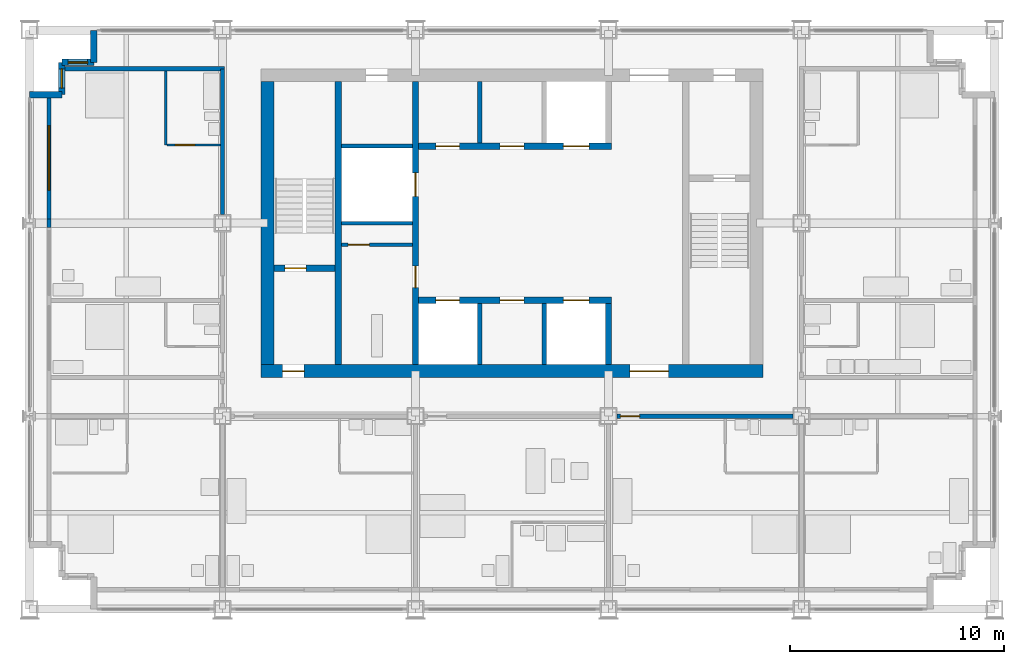
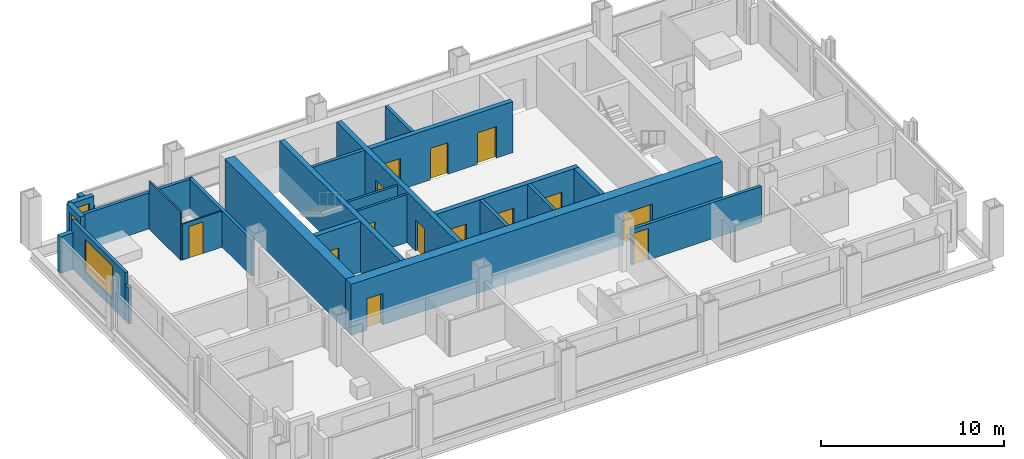
# One storey, part 8 of 13: 25 walls, 14 doors, 3 windows, 17 openings.
"""IFC4 building model written with IfcOpenShell, lengths in metres."""

import ifcopenshell
import ifcopenshell.guid

model = None  # the IFC model being written
_history = None  # IfcOwnerHistory: only IFC2X3 demands one
_inside = {}  # id of a spatial element -> (the spatial element, [elements in it])
_under = {}  # id of a project, library or spatial element -> (it, [spatial elements below it])
_declared = {}  # id of a project -> (the project, [libraries it declares])
_typed = {}  # id of a type object -> (the type object, [elements of that type])
_made_of = {}  # id of a material, layer set ... -> (it, [elements and type objects made of it])


def new_model(schema):
    """Start an empty IFC model of exactly this schema.

    Asked for "IFC4X3", IfcOpenShell would pick the latest addendum, in which some entities
    have other attributes; the version numbers below select the first issue.
    IFC2X3 requires an IfcOwnerHistory on every rooted entity: one is made here for all.
    """
    global model, _history
    if schema == "IFC4X3":
        model = ifcopenshell.file(schema_version=(4, 3, 0, 0))
    else:
        model = ifcopenshell.file(schema=schema)
    _inside.clear()
    _under.clear()
    _declared.clear()
    _typed.clear()
    _made_of.clear()
    _history = None
    if model.schema == "IFC2X3":
        org = make("IfcOrganization", Name="unknown")
        user = make(
            "IfcPersonAndOrganization",
            ThePerson=make("IfcPerson", FamilyName="unknown"),
            TheOrganization=org,
        )
        app = make(
            "IfcApplication",
            ApplicationDeveloper=org,
            Version="unknown",
            ApplicationFullName="unknown",
            ApplicationIdentifier="unknown",
        )
        _history = make(
            "IfcOwnerHistory",
            OwningUser=user,
            OwningApplication=app,
            ChangeAction="ADDED",
            CreationDate=0,
        )
    return model


def make(cls, **values):
    """One entity of the class cls with the attributes given. An attribute that is None is left unset."""
    return model.create_entity(
        cls, **{name: value for name, value in values.items() if value is not None}
    )


def rooted(cls, **values):
    """An entity with a GlobalId (a new one), such as an element, a storey or a relation."""
    return make(cls, GlobalId=ifcopenshell.guid.new(), OwnerHistory=_history, **values)


def si_unit(unit_type, name, prefix=None):
    """IfcSIUnit, for example si_unit("LENGTHUNIT", "METRE", prefix="MILLI")."""
    return make("IfcSIUnit", UnitType=unit_type, Prefix=prefix, Name=name)


def assignment(units):
    """IfcUnitAssignment: the units of a project."""
    return None if units is None else make("IfcUnitAssignment", Units=units)


def point(xyz):
    """IfcCartesianPoint."""
    return None if xyz is None else make("IfcCartesianPoint", Coordinates=xyz)


def direction(xyz):
    """IfcDirection."""
    return None if xyz is None else make("IfcDirection", DirectionRatios=xyz)


def frame(location, z_axis=None, x_axis=None):
    """IfcAxis2Placement3D, a coordinate frame: its origin and axes. An axis left out is left unset."""
    return make(
        "IfcAxis2Placement3D",
        Location=point(location),
        Axis=direction(z_axis),
        RefDirection=direction(x_axis),
    )


def frame_2d(location, x_axis=None):
    """IfcAxis2Placement2D, a coordinate frame in the plane: its origin and x axis."""
    return make(
        "IfcAxis2Placement2D", Location=point(location), RefDirection=direction(x_axis)
    )


def origin():
    """The frame at (0, 0, 0) with its axes left unset."""
    return frame((0.0, 0.0, 0.0))


def place(relative_to, where):
    """IfcLocalPlacement: puts the frame where relative to a parent placement (None: the world)."""
    return make(
        "IfcLocalPlacement", PlacementRelTo=relative_to, RelativePlacement=where
    )


def context(
    kind, dimensions, precision=None, world=None, true_north=None, identifier=None
):
    """IfcGeometricRepresentationContext, for example the 3D "Model" context."""
    return make(
        "IfcGeometricRepresentationContext",
        ContextIdentifier=identifier,
        ContextType=kind,
        CoordinateSpaceDimension=dimensions,
        Precision=precision,
        WorldCoordinateSystem=world,
        TrueNorth=true_north,
    )


def subcontext(parent, identifier, kind, view, scale=None):
    """IfcGeometricRepresentationSubContext, for example "Body" below "Model"."""
    return make(
        "IfcGeometricRepresentationSubContext",
        ContextIdentifier=identifier,
        ContextType=kind,
        ParentContext=parent,
        TargetScale=scale,
        TargetView=view,
    )


def project(units=None, contexts=None):
    """IfcProject with its units and contexts."""
    return rooted(
        "IfcProject",
        Name="project",
        RepresentationContexts=contexts,
        UnitsInContext=assignment(units),
    )


def spatial(cls, under=None, at=None, **own):
    """A site, building, storey or space (cls), placed at a placement, below another one or the project."""
    s = rooted(cls, ObjectPlacement=at, **own)
    if under is not None:
        _under.setdefault(under.id(), (under, []))[1].append(s)
    return s


def profile(cls, at=None, kind="AREA", **sizes):
    """A parametric profile (cls). Its sizes go by their IFC names, for example OverallWidth=200.0."""
    return make(cls, ProfileType=kind, Position=at, **sizes)


def rectangle(**sizes):
    """IfcRectangleProfileDef."""
    return profile("IfcRectangleProfileDef", **sizes)


def extrude(swept, where, along, depth):
    """IfcExtrudedAreaSolid: the profile swept, set in the frame where, extruded along a direction by depth."""
    return make(
        "IfcExtrudedAreaSolid",
        SweptArea=swept,
        Position=where,
        ExtrudedDirection=direction(along),
        Depth=depth,
    )


def shape(context_of_items, identifier, shape_type, items):
    """IfcShapeRepresentation: the items that make up one representation, for example the "Body"."""
    return make(
        "IfcShapeRepresentation",
        ContextOfItems=context_of_items,
        RepresentationIdentifier=identifier,
        RepresentationType=shape_type,
        Items=items,
    )


def material(Name=None, Category=None):
    """IfcMaterial."""
    return make("IfcMaterial", Name=Name, Category=Category)


def layer(
    of_material, thickness, ventilated=None, Name=None, Category=None, Priority=None
):
    """IfcMaterialLayer: one layer of a wall or slab, of a material (None: an air gap)."""
    return make(
        "IfcMaterialLayer",
        Material=of_material,
        LayerThickness=thickness,
        IsVentilated=ventilated,
        Name=Name,
        Category=Category,
        Priority=Priority,
    )


def layer_set(layers, Name=None):
    """IfcMaterialLayerSet."""
    return make("IfcMaterialLayerSet", MaterialLayers=layers, LayerSetName=Name)


def made_of(thing, what):
    """Note that an element or type object is made of a material, layer set ...; save() writes the relation."""
    if what is not None:
        _made_of.setdefault(what.id(), (what, []))[1].append(thing)
    return thing


def type_object(cls, material=None, **own):
    """A type object (cls), such as IfcWallType, which elements share."""
    return made_of(rooted(cls, **own), material)


def element(
    cls,
    number,
    at=None,
    inside=None,
    cuts=None,
    type_object=None,
    material=None,
    context=None,
    identifier="Body",
    shape_type=None,
    held_by="IfcProductDefinitionShape",
    body=None,
    shapes=None,
    **own,
):
    """One element of the class cls, such as IfcWall. Its Tag is "e" and its number.

    at: its placement. inside: the storey or other place that contains it. cuts: it is an
    opening in that element (IfcRelVoidsElement). A single representation is given by context,
    identifier, shape_type and body (its items); several are given by shapes. held_by: the class
    of the entity that holds the representations. save() writes the other relations.
    """
    e = rooted(cls, Tag="e%d" % number, ObjectPlacement=at, **own)
    if body is not None:
        shapes = [shape(context, identifier, shape_type, body)]
    if shapes is not None:
        e.Representation = make(held_by, Representations=shapes)
    if inside is not None:
        _inside.setdefault(inside.id(), (inside, []))[1].append(e)
    if cuts is not None:
        rooted(
            "IfcRelVoidsElement", RelatingBuildingElement=cuts, RelatedOpeningElement=e
        )
    if type_object is not None:
        _typed.setdefault(type_object.id(), (type_object, []))[1].append(e)
    return made_of(e, material)


def fill(opening, filler):
    """IfcRelFillsElement: the door or window that sits in an opening."""
    return rooted(
        "IfcRelFillsElement",
        RelatingOpeningElement=opening,
        RelatedBuildingElement=filler,
    )


def aggregate(whole, parts):
    """IfcRelAggregates: a whole, such as a stair, and the parts it consists of."""
    return rooted("IfcRelAggregates", RelatingObject=whole, RelatedObjects=parts)


def save(model, path):
    """Write the relations noted so far, then the file.

    IfcRelAggregates (storeys below a building ...), IfcRelContainedInSpatialStructure (elements
    in a storey), IfcRelDefinesByType, IfcRelAssociatesMaterial and IfcRelDeclares: one each for
    every whole, place, type object, material and project.
    """
    for whole, parts in _under.values():
        aggregate(whole, parts)
    for where, things in _inside.values():
        rooted(
            "IfcRelContainedInSpatialStructure",
            RelatedElements=things,
            RelatingStructure=where,
        )
    for kind, things in _typed.values():
        rooted("IfcRelDefinesByType", RelatedObjects=things, RelatingType=kind)
    for what, things in _made_of.values():
        rooted("IfcRelAssociatesMaterial", RelatedObjects=things, RelatingMaterial=what)
    for by, libraries in _declared.values():
        rooted("IfcRelDeclares", RelatingContext=by, RelatedDefinitions=libraries)
    model.write(path)


model = new_model("IFC4")

# Units and contexts
model_context = context("Model", 3, precision=1e-05, world=origin(), true_north=direction((0.0, 1.0)))
body_context = subcontext(model_context, "Body", "Model", "MODEL_VIEW")
ifc_project = project(units=[si_unit("LENGTHUNIT", "METRE"), si_unit("AREAUNIT", "SQUARE_METRE"), si_unit("VOLUMEUNIT", "CUBIC_METRE"), si_unit("PLANEANGLEUNIT", "RADIAN"), si_unit("MASSUNIT", "GRAM", prefix="KILO")], contexts=[model_context])

# Site, building, storey
site_placement = place(None, origin())
site = spatial("IfcSite", under=ifc_project, at=site_placement, CompositionType="ELEMENT")
building_placement = place(site_placement, origin())
building = spatial("IfcBuilding", under=site, at=building_placement, Name="Loomwork Tower", CompositionType="ELEMENT")
storey_placement = place(building_placement, frame((0.0, 0.0, 177.39990234375)))
storey = spatial("IfcBuildingStorey", under=building, at=storey_placement, Name="L48", CompositionType="ELEMENT", Elevation=177.39990234375)

# Wall
ifc_material_1 = material(Name="Concrete 14000 psi (97 MPa)", Category="concrete")
ifc_layer_1 = layer(ifc_material_1, 0.300048828125)
ifc_layer_set_1 = layer_set([ifc_layer_1], Name="Core shear wall 300")
wall_type_1 = type_object("IfcWallType", Name="Core shear wall 300", PredefinedType="SHEAR", material=ifc_layer_set_1)
wall_1_placement = place(storey_placement, frame((14.39990234375, 11.39990234375, 0.0), z_axis=(0.0, 0.0, 1.0), x_axis=(0.0, 1.0, 0.0)))
element("IfcWall", 1, at=wall_1_placement, inside=storey, type_object=wall_type_1, Name="Stair A east wall L48", PredefinedType="SHEAR", context=body_context, shape_type="SweptSolid", body=[
    extrude(rectangle(XDim=13.2001953125, YDim=0.300048828125, at=frame_2d((6.60009765625, 0.0))), origin(), (0.0, 0.0, 1.0), 3.400146484375),
])

# Wall, opening, door
wall_2_placement = place(storey_placement, frame((11.39990234375, 15.89990234375, 0.0), z_axis=(0.0, 0.0, 1.0), x_axis=(1.0, 0.0, 0.0)))
wall_2 = element("IfcWall", 2, at=wall_2_placement, inside=storey, type_object=wall_type_1, Name="Stair A south wall L48", PredefinedType="SHEAR", context=body_context, shape_type="SweptSolid", body=[
    extrude(rectangle(XDim=2.85009765625, YDim=0.300048828125, at=frame_2d((1.425048828125, 0.0))), origin(), (0.0, 0.0, 1.0), 3.400146484375),
])
opening_1_placement = place(wall_2_placement, frame((0.5, 0.0, 0.0)))
opening_1 = element("IfcOpeningElement", 3, at=opening_1_placement, cuts=wall_2, Name="Opening D4", PredefinedType="OPENING", context=body_context, shape_type="SweptSolid", body=[
    extrude(rectangle(XDim=1.0, YDim=2.10009765625, at=frame_2d((0.5, 1.050048828125))), frame((0.0, 0.159912109375, 0.0), z_axis=(0.0, -1.0, 0.0), x_axis=(1.0, 0.0, 0.0)), (0.0, 0.0, 1.0), 0.320068359375),
])
ifc_material_2 = material(Name="Hollow metal door and frame")
door_type_1 = type_object("IfcDoorType", Name="Stair door 1000", OperationType="SINGLE_SWING_RIGHT", PredefinedType="DOOR", material=ifc_material_2)
door_1_placement = place(opening_1_placement, origin())
door_1 = element("IfcDoor", 4, at=door_1_placement, inside=storey, type_object=door_type_1, Name="Stair A door", OperationType="SINGLE_SWING_LEFT", OverallHeight=2.10009765625, OverallWidth=1.0, PredefinedType="DOOR", context=body_context, shape_type="SweptSolid", body=[
    extrude(rectangle(XDim=1.0, YDim=2.10009765625, at=frame_2d((0.5, 1.050048828125))), frame((0.0, 0.02490234375, 0.0), z_axis=(0.0, -1.0, 0.0), x_axis=(1.0, 0.0, 0.0)), (0.0, 0.0, 1.0), 0.050048828125),
])
fill(opening_1, door_1)

# Wall, openings, doors
wall_3_placement = place(storey_placement, frame((18.0, 11.39990234375, 0.0), z_axis=(0.0, 0.0, 1.0), x_axis=(0.0, 1.0, 0.0)))
wall_3 = element("IfcWall", 5, at=wall_3_placement, inside=storey, type_object=wall_type_1, Name="Lobby west wall L48", PredefinedType="SHEAR", context=body_context, shape_type="SweptSolid", body=[
    extrude(rectangle(XDim=13.2001953125, YDim=0.300048828125, at=frame_2d((6.60009765625, 0.0))), origin(), (0.0, 0.0, 1.0), 3.400146484375),
])
opening_2_placement = place(wall_3_placement, frame((3.60009765625, 0.0, 0.0)))
opening_2 = element("IfcOpeningElement", 6, at=opening_2_placement, cuts=wall_3, Name="Opening D5", PredefinedType="OPENING", context=body_context, shape_type="SweptSolid", body=[
    extrude(rectangle(XDim=1.0, YDim=2.10009765625, at=frame_2d((0.5, 1.050048828125))), frame((0.0, 0.159912109375, 0.0), z_axis=(0.0, -1.0, 0.0), x_axis=(1.0, 0.0, 0.0)), (0.0, 0.0, 1.0), 0.320068359375),
])
opening_3_placement = place(wall_3_placement, frame((7.85009765625, 0.0, 0.0)))
opening_3 = element("IfcOpeningElement", 7, at=opening_3_placement, cuts=wall_3, Name="Opening LD1", PredefinedType="OPENING", context=body_context, shape_type="SweptSolid", body=[
    extrude(rectangle(XDim=1.10009765625, YDim=2.10009765625, at=frame_2d((0.550048828125, 1.050048828125))), frame((0.0, 0.159912109375, 0.0), z_axis=(0.0, -1.0, 0.0), x_axis=(1.0, 0.0, 0.0)), (0.0, 0.0, 1.0), 0.320068359375),
])
ifc_material_3 = material(Name="Hollow metal door and frame")
door_type_2 = type_object("IfcDoorType", Name="Lift landing door 1100", OperationType="SLIDING_TO_LEFT", PredefinedType="DOOR", material=ifc_material_3)
door_2_placement = place(opening_3_placement, origin())
door_2 = element("IfcDoor", 8, at=door_2_placement, inside=storey, type_object=door_type_2, Name="Lift landing door LC2", OperationType="SLIDING_TO_LEFT", OverallHeight=2.10009765625, OverallWidth=1.10009765625, PredefinedType="DOOR", context=body_context, shape_type="SweptSolid", body=[
    extrude(rectangle(XDim=1.10009765625, YDim=2.10009765625, at=frame_2d((0.550048828125, 1.050048828125))), frame((0.0, 0.02490234375, 0.0), z_axis=(0.0, -1.0, 0.0), x_axis=(1.0, 0.0, 0.0)), (0.0, 0.0, 1.0), 0.050048828125),
])
fill(opening_3, door_2)
ifc_material_4 = material(Name="Hollow metal door and frame")
door_type_3 = type_object("IfcDoorType", Name="Service door 1000", OperationType="SINGLE_SWING_LEFT", PredefinedType="DOOR", material=ifc_material_4)
door_3_placement = place(opening_2_placement, origin())
door_3 = element("IfcDoor", 9, at=door_3_placement, inside=storey, type_object=door_type_3, Name="Back-of-house door south", OperationType="SINGLE_SWING_LEFT", OverallHeight=2.10009765625, OverallWidth=1.0, PredefinedType="DOOR", context=body_context, shape_type="SweptSolid", body=[
    extrude(rectangle(XDim=1.0, YDim=2.10009765625, at=frame_2d((0.5, 1.050048828125))), frame((0.0, 0.02490234375, 0.0), z_axis=(0.0, -1.0, 0.0), x_axis=(1.0, 0.0, 0.0)), (0.0, 0.0, 1.0), 0.050048828125),
])
fill(opening_2, door_3)

wall_4_placement = place(storey_placement, frame((18.14990234375, 14.39990234375, 0.0), z_axis=(0.0, 0.0, 1.0), x_axis=(1.0, 0.0, 0.0)))
wall_4 = element("IfcWall", 10, at=wall_4_placement, inside=storey, type_object=wall_type_1, Name="Lift front wall south L48", PredefinedType="SHEAR", context=body_context, shape_type="SweptSolid", body=[
    extrude(rectangle(XDim=9.0, YDim=0.300048828125, at=frame_2d((4.5, 0.0))), origin(), (0.0, 0.0, 1.0), 3.400146484375),
])
opening_4_placement = place(wall_4_placement, frame((0.800048828125, 0.0, 0.0)))
opening_4 = element("IfcOpeningElement", 11, at=opening_4_placement, cuts=wall_4, Name="Opening LD1", PredefinedType="OPENING", context=body_context, shape_type="SweptSolid", body=[
    extrude(rectangle(XDim=1.10009765625, YDim=2.10009765625, at=frame_2d((0.550048828125, 1.050048828125))), frame((0.0, 0.159912109375, 0.0), z_axis=(0.0, -1.0, 0.0), x_axis=(1.0, 0.0, 0.0)), (0.0, 0.0, 1.0), 0.320068359375),
])
opening_5_placement = place(wall_4_placement, frame((6.75, 0.0, 0.0)))
opening_5 = element("IfcOpeningElement", 12, at=opening_5_placement, cuts=wall_4, Name="Opening LD2", PredefinedType="OPENING", context=body_context, shape_type="SweptSolid", body=[
    extrude(rectangle(XDim=1.199951171875, YDim=2.10009765625, at=frame_2d((0.60009765625, 1.050048828125))), frame((0.0, 0.159912109375, 0.0), z_axis=(0.0, -1.0, 0.0), x_axis=(1.0, 0.0, 0.0)), (0.0, 0.0, 1.0), 0.320068359375),
])
opening_6_placement = place(wall_4_placement, frame((3.800048828125, 0.0, 0.0)))
opening_6 = element("IfcOpeningElement", 13, at=opening_6_placement, cuts=wall_4, Name="Opening D17", PredefinedType="OPENING", context=body_context, shape_type="SweptSolid", body=[
    extrude(rectangle(XDim=1.10009765625, YDim=2.10009765625, at=frame_2d((0.550048828125, 1.050048828125))), frame((0.0, 0.159912109375, 0.0), z_axis=(0.0, -1.0, 0.0), x_axis=(1.0, 0.0, 0.0)), (0.0, 0.0, 1.0), 0.320068359375),
])
door_4_placement = place(opening_4_placement, origin())
door_4 = element("IfcDoor", 14, at=door_4_placement, inside=storey, type_object=door_type_2, Name="Lift landing door LC1", OperationType="SLIDING_TO_LEFT", OverallHeight=2.10009765625, OverallWidth=1.10009765625, PredefinedType="DOOR", context=body_context, shape_type="SweptSolid", body=[
    extrude(rectangle(XDim=1.10009765625, YDim=2.10009765625, at=frame_2d((0.550048828125, 1.050048828125))), frame((0.0, 0.02490234375, 0.0), z_axis=(0.0, -1.0, 0.0), x_axis=(1.0, 0.0, 0.0)), (0.0, 0.0, 1.0), 0.050048828125),
])
fill(opening_4, door_4)
ifc_material_5 = material(Name="Hollow metal door and frame")
door_type_4 = type_object("IfcDoorType", Name="Lift landing door 1200", OperationType="SLIDING_TO_LEFT", PredefinedType="DOOR", material=ifc_material_5)
door_5_placement = place(opening_5_placement, origin())
door_5 = element("IfcDoor", 15, at=door_5_placement, inside=storey, type_object=door_type_4, Name="Lift landing door LF1", OperationType="SLIDING_TO_LEFT", OverallHeight=2.10009765625, OverallWidth=1.199951171875, PredefinedType="DOOR", context=body_context, shape_type="SweptSolid", body=[
    extrude(rectangle(XDim=1.199951171875, YDim=2.10009765625, at=frame_2d((0.60009765625, 1.050048828125))), frame((0.0, 0.02490234375, 0.0), z_axis=(0.0, -1.0, 0.0), x_axis=(1.0, 0.0, 0.0)), (0.0, 0.0, 1.0), 0.050048828125),
])
fill(opening_5, door_5)
ifc_material_6 = material(Name="Hollow metal door and frame")
door_type_5 = type_object("IfcDoorType", Name="Service room door 1100", OperationType="SINGLE_SWING_LEFT", PredefinedType="DOOR", material=ifc_material_6)
door_6_placement = place(opening_6_placement, frame((1.10009765625, 0.0, 0.0), z_axis=(0.0, 0.0, 1.0), x_axis=(-1.0, 0.0, 0.0)))
door_6 = element("IfcDoor", 16, at=door_6_placement, inside=storey, type_object=door_type_5, Name="Housekeeping store door L48", OperationType="SINGLE_SWING_RIGHT", OverallHeight=2.10009765625, OverallWidth=1.10009765625, PredefinedType="DOOR", context=body_context, shape_type="SweptSolid", body=[
    extrude(rectangle(XDim=1.10009765625, YDim=2.10009765625, at=frame_2d((0.550048828125, 1.050048828125))), frame((0.0, 0.02490234375, 0.0), z_axis=(0.0, -1.0, 0.0), x_axis=(1.0, 0.0, 0.0)), (0.0, 0.0, 1.0), 0.050048828125),
])
fill(opening_6, door_6)

# Wall
wall_5_placement = place(storey_placement, frame((27.0, 11.39990234375, 0.0), z_axis=(0.0, 0.0, 1.0), x_axis=(0.0, 1.0, 0.0)))
element("IfcWall", 17, at=wall_5_placement, inside=storey, type_object=wall_type_1, Name="Lift shaft end wall south L48", PredefinedType="SHEAR", context=body_context, shape_type="SweptSolid", body=[
    extrude(rectangle(XDim=2.85009765625, YDim=0.300048828125, at=frame_2d((1.425048828125, 0.0))), origin(), (0.0, 0.0, 1.0), 3.400146484375),
])

# Wall, openings, doors
wall_6_placement = place(storey_placement, frame((18.14990234375, 21.60009765625, 0.0), z_axis=(0.0, 0.0, 1.0), x_axis=(1.0, 0.0, 0.0)))
wall_6 = element("IfcWall", 18, at=wall_6_placement, inside=storey, type_object=wall_type_1, Name="Lift front wall north L48", PredefinedType="SHEAR", context=body_context, shape_type="SweptSolid", body=[
    extrude(rectangle(XDim=9.0, YDim=0.300048828125, at=frame_2d((4.5, 0.0))), origin(), (0.0, 0.0, 1.0), 3.400146484375),
])
opening_7_placement = place(wall_6_placement, frame((6.75, 0.0, 0.0)))
opening_7 = element("IfcOpeningElement", 19, at=opening_7_placement, cuts=wall_6, Name="Opening LD2", PredefinedType="OPENING", context=body_context, shape_type="SweptSolid", body=[
    extrude(rectangle(XDim=1.199951171875, YDim=2.10009765625, at=frame_2d((0.60009765625, 1.050048828125))), frame((0.0, 0.159912109375, 0.0), z_axis=(0.0, -1.0, 0.0), x_axis=(1.0, 0.0, 0.0)), (0.0, 0.0, 1.0), 0.320068359375),
])
opening_8_placement = place(wall_6_placement, frame((0.800048828125, 0.0, 0.0)))
opening_8 = element("IfcOpeningElement", 20, at=opening_8_placement, cuts=wall_6, Name="Opening D17", PredefinedType="OPENING", context=body_context, shape_type="SweptSolid", body=[
    extrude(rectangle(XDim=1.10009765625, YDim=2.10009765625, at=frame_2d((0.550048828125, 1.050048828125))), frame((0.0, 0.159912109375, 0.0), z_axis=(0.0, -1.0, 0.0), x_axis=(1.0, 0.0, 0.0)), (0.0, 0.0, 1.0), 0.320068359375),
])
opening_9_placement = place(wall_6_placement, frame((3.800048828125, 0.0, 0.0)))
opening_9 = element("IfcOpeningElement", 21, at=opening_9_placement, cuts=wall_6, Name="Opening D17", PredefinedType="OPENING", context=body_context, shape_type="SweptSolid", body=[
    extrude(rectangle(XDim=1.10009765625, YDim=2.10009765625, at=frame_2d((0.550048828125, 1.050048828125))), frame((0.0, 0.159912109375, 0.0), z_axis=(0.0, -1.0, 0.0), x_axis=(1.0, 0.0, 0.0)), (0.0, 0.0, 1.0), 0.320068359375),
])
door_7_placement = place(opening_7_placement, origin())
door_7 = element("IfcDoor", 22, at=door_7_placement, inside=storey, type_object=door_type_4, Name="Lift landing door LF2", OperationType="SLIDING_TO_LEFT", OverallHeight=2.10009765625, OverallWidth=1.199951171875, PredefinedType="DOOR", context=body_context, shape_type="SweptSolid", body=[
    extrude(rectangle(XDim=1.199951171875, YDim=2.10009765625, at=frame_2d((0.60009765625, 1.050048828125))), frame((0.0, 0.02490234375, 0.0), z_axis=(0.0, -1.0, 0.0), x_axis=(1.0, 0.0, 0.0)), (0.0, 0.0, 1.0), 0.050048828125),
])
fill(opening_7, door_7)
door_8_placement = place(opening_8_placement, origin())
door_8 = element("IfcDoor", 23, at=door_8_placement, inside=storey, type_object=door_type_5, Name="Storage room door L48", OperationType="SINGLE_SWING_LEFT", OverallHeight=2.10009765625, OverallWidth=1.10009765625, PredefinedType="DOOR", context=body_context, shape_type="SweptSolid", body=[
    extrude(rectangle(XDim=1.10009765625, YDim=2.10009765625, at=frame_2d((0.550048828125, 1.050048828125))), frame((0.0, 0.02490234375, 0.0), z_axis=(0.0, -1.0, 0.0), x_axis=(1.0, 0.0, 0.0)), (0.0, 0.0, 1.0), 0.050048828125),
])
fill(opening_8, door_8)
door_9_placement = place(opening_9_placement, origin())
door_9 = element("IfcDoor", 24, at=door_9_placement, inside=storey, type_object=door_type_5, Name="Linen and housekeeping store door L48", OperationType="SINGLE_SWING_LEFT", OverallHeight=2.10009765625, OverallWidth=1.10009765625, PredefinedType="DOOR", context=body_context, shape_type="SweptSolid", body=[
    extrude(rectangle(XDim=1.10009765625, YDim=2.10009765625, at=frame_2d((0.550048828125, 1.050048828125))), frame((0.0, 0.02490234375, 0.0), z_axis=(0.0, -1.0, 0.0), x_axis=(1.0, 0.0, 0.0)), (0.0, 0.0, 1.0), 0.050048828125),
])
fill(opening_9, door_9)

ifc_material_7 = material(Name="Concrete 14000 psi (97 MPa)", Category="concrete")
ifc_layer_2 = layer(ifc_material_7, 0.60009765625)
ifc_layer_set_2 = layer_set([ifc_layer_2], Name="Core shear wall 600")
wall_type_2 = type_object("IfcWallType", Name="Core shear wall 600", PredefinedType="SHEAR", material=ifc_layer_set_2)
wall_7_placement = place(storey_placement, frame((10.800048828125, 11.10009765625, 0.0), z_axis=(0.0, 0.0, 1.0), x_axis=(1.0, 0.0, 0.0)))
wall_7 = element("IfcWall", 25, at=wall_7_placement, inside=storey, type_object=wall_type_2, Name="Core wall south L48", PredefinedType="SHEAR", context=body_context, shape_type="SweptSolid", body=[
    extrude(rectangle(XDim=23.39990234375, YDim=0.60009765625, at=frame_2d((11.699951171875, 0.0))), origin(), (0.0, 0.0, 1.0), 3.400146484375),
])
opening_10_placement = place(wall_7_placement, frame((1.0, 0.0, 0.0)))
opening_10 = element("IfcOpeningElement", 26, at=opening_10_placement, cuts=wall_7, Name="Opening D4", PredefinedType="OPENING", context=body_context, shape_type="SweptSolid", body=[
    extrude(rectangle(XDim=1.0, YDim=2.10009765625, at=frame_2d((0.5, 1.050048828125))), frame((0.0, 0.31005859375, 0.0), z_axis=(0.0, -1.0, 0.0), x_axis=(1.0, 0.0, 0.0)), (0.0, 0.0, 1.0), 0.6201171875),
])
opening_11_placement = place(wall_7_placement, frame((17.199951171875, 0.0, 0.0)))
opening_11 = element("IfcOpeningElement", 27, at=opening_11_placement, cuts=wall_7, Name="Opening D6", PredefinedType="OPENING", context=body_context, shape_type="SweptSolid", body=[
    extrude(rectangle(XDim=1.800048828125, YDim=2.10009765625, at=frame_2d((0.89990234375, 1.050048828125))), frame((0.0, 0.31005859375, 0.0), z_axis=(0.0, -1.0, 0.0), x_axis=(1.0, 0.0, 0.0)), (0.0, 0.0, 1.0), 0.6201171875),
])
ifc_material_8 = material(Name="Hollow metal door and frame")
door_type_6 = type_object("IfcDoorType", Name="Lobby passage double door 1800", OperationType="DOUBLE_DOOR_SINGLE_SWING", PredefinedType="DOOR", material=ifc_material_8)
door_10_placement = place(opening_11_placement, origin())
door_10 = element("IfcDoor", 28, at=door_10_placement, inside=storey, type_object=door_type_6, Name="Lobby passage door south", OperationType="DOUBLE_DOOR_SINGLE_SWING", OverallHeight=2.10009765625, OverallWidth=1.800048828125, PredefinedType="DOOR", context=body_context, shape_type="SweptSolid", body=[
    extrude(rectangle(XDim=1.800048828125, YDim=2.10009765625, at=frame_2d((0.89990234375, 1.050048828125))), frame((0.0, 0.02490234375, 0.0), z_axis=(0.0, -1.0, 0.0), x_axis=(1.0, 0.0, 0.0)), (0.0, 0.0, 1.0), 0.050048828125),
])
fill(opening_11, door_10)
door_11_placement = place(opening_10_placement, origin())
door_11 = element("IfcDoor", 29, at=door_11_placement, inside=storey, type_object=door_type_1, Name="Stair A vestibule door", OperationType="SINGLE_SWING_LEFT", OverallHeight=2.10009765625, OverallWidth=1.0, PredefinedType="DOOR", context=body_context, shape_type="SweptSolid", body=[
    extrude(rectangle(XDim=1.0, YDim=2.10009765625, at=frame_2d((0.5, 1.050048828125))), frame((0.0, 0.02490234375, 0.0), z_axis=(0.0, -1.0, 0.0), x_axis=(1.0, 0.0, 0.0)), (0.0, 0.0, 1.0), 0.050048828125),
])
fill(opening_10, door_11)

# Wall
wall_8_placement = place(storey_placement, frame((11.10009765625, 11.39990234375, 0.0), z_axis=(0.0, 0.0, 1.0), x_axis=(0.0, 1.0, 0.0)))
element("IfcWall", 30, at=wall_8_placement, inside=storey, type_object=wall_type_2, Name="Core wall west L48", PredefinedType="SHEAR", context=body_context, shape_type="SweptSolid", body=[
    extrude(rectangle(XDim=13.2001953125, YDim=0.60009765625, at=frame_2d((6.60009765625, 0.0))), origin(), (0.0, 0.0, 1.0), 3.400146484375),
])

# Wall, opening, door
ifc_material_9 = material(Name="Gypsum board on steel studs, one-hour", Category="steel")
ifc_layer_3 = layer(ifc_material_9, 0.199951171875)
ifc_layer_set_3 = layer_set([ifc_layer_3], Name="Corridor wall 200")
wall_type_3 = type_object("IfcWallType", Name="Corridor wall 200", PredefinedType="PARTITIONING", material=ifc_layer_set_3)
wall_9_placement = place(storey_placement, frame((27.39990234375, 9.0, 0.0), z_axis=(0.0, 0.0, 1.0), x_axis=(1.0, 0.0, 0.0)))
wall_9 = element("IfcWall", 31, at=wall_9_placement, inside=storey, type_object=wall_type_3, Name="South corridor wall 4", PredefinedType="PARTITIONING", context=body_context, shape_type="SweptSolid", body=[
    extrude(rectangle(XDim=8.2001953125, YDim=0.199951171875, at=frame_2d((4.10009765625, 0.0))), origin(), (0.0, 0.0, 1.0), 2.405029296875),
])
opening_12_placement = place(wall_9_placement, frame((0.14990234375, 0.0, 0.0)))
opening_12 = element("IfcOpeningElement", 32, at=opening_12_placement, cuts=wall_9, Name="Opening D1", PredefinedType="OPENING", context=body_context, shape_type="SweptSolid", body=[
    extrude(rectangle(XDim=0.89990234375, YDim=2.10009765625, at=frame_2d((0.449951171875, 1.050048828125))), frame((0.0, 0.10986328125, 0.0), z_axis=(0.0, -1.0, 0.0), x_axis=(1.0, 0.0, 0.0)), (0.0, 0.0, 1.0), 0.219970703125),
])
ifc_material_10 = material(Name="Hollow metal door and frame")
door_type_7 = type_object("IfcDoorType", Name="Guest room entry door 900", OperationType="SINGLE_SWING_LEFT", PredefinedType="DOOR", material=ifc_material_10)
door_12_placement = place(opening_12_placement, frame((0.89990234375, 0.0, 0.0), z_axis=(0.0, 0.0, 1.0), x_axis=(-1.0, 0.0, 0.0)))
door_12 = element("IfcDoor", 33, at=door_12_placement, inside=storey, type_object=door_type_7, Name="Guest room entry door L48 4", OperationType="SINGLE_SWING_RIGHT", OverallHeight=2.10009765625, OverallWidth=0.89990234375, PredefinedType="DOOR", context=body_context, shape_type="SweptSolid", body=[
    extrude(rectangle(XDim=0.89990234375, YDim=2.10009765625, at=frame_2d((0.449951171875, 1.050048828125))), frame((0.0, 0.02490234375, 0.0), z_axis=(0.0, -1.0, 0.0), x_axis=(1.0, 0.0, 0.0)), (0.0, 0.0, 1.0), 0.050048828125),
])
fill(opening_12, door_12)

# Walls
wall_10_placement = place(storey_placement, frame((9.0, 18.39990234375, 0.0), z_axis=(0.0, 0.0, 1.0), x_axis=(0.0, 1.0, 0.0)))
element("IfcWall", 34, at=wall_10_placement, inside=storey, type_object=wall_type_3, Name="West corridor wall 2", PredefinedType="PARTITIONING", context=body_context, shape_type="SweptSolid", body=[
    extrude(rectangle(XDim=6.800048828125, YDim=0.199951171875, at=frame_2d((3.39990234375, 0.0))), origin(), (0.0, 0.0, 1.0), 2.405029296875),
])
wall_11_placement = place(storey_placement, frame((1.64990234375, 25.199951171875, 0.0), z_axis=(0.0, 0.0, 1.0), x_axis=(1.0, 0.0, 0.0)))
element("IfcWall", 35, at=wall_11_placement, inside=storey, type_object=wall_type_3, Name="West band end wall N", PredefinedType="PARTITIONING", context=body_context, shape_type="SweptSolid", body=[
    extrude(rectangle(XDim=7.4501953125, YDim=0.199951171875, at=frame_2d((3.72509765625, 0.0))), origin(), (0.0, 0.0, 1.0), 2.404052734375),
])
ifc_material_11 = material(Name="Cement board on steel studs", Category="steel")
ifc_layer_4 = layer(ifc_material_11, 0.10009765625)
ifc_layer_set_4 = layer_set([ifc_layer_4], Name="En-suite partition 100")
wall_type_4 = type_object("IfcWallType", Name="En-suite partition 100", PredefinedType="PARTITIONING", material=ifc_layer_set_4)
wall_12_placement = place(storey_placement, frame((6.35009765625, 21.64990234375, 0.0), z_axis=(0.0, 0.0, 1.0), x_axis=(0.0, 1.0, 0.0)))
element("IfcWall", 36, at=wall_12_placement, inside=storey, type_object=wall_type_4, Name="En-suite wall L48 room 7", PredefinedType="PARTITIONING", context=body_context, shape_type="SweptSolid", body=[
    extrude(rectangle(XDim=3.4501953125, YDim=0.10009765625, at=frame_2d((1.72509765625, 0.0))), origin(), (0.0, 0.0, 1.0), 3.2001953125),
])

# Wall, opening, door
wall_13_placement = place(storey_placement, frame((8.89990234375, 21.64990234375, 0.0), z_axis=(0.0, 0.0, 1.0), x_axis=(-1.0, 0.0, 0.0)))
wall_13 = element("IfcWall", 37, at=wall_13_placement, inside=storey, type_object=wall_type_4, Name="En-suite side wall L48 room 7", PredefinedType="PARTITIONING", context=body_context, shape_type="SweptSolid", body=[
    extrude(rectangle(XDim=2.5, YDim=0.10009765625, at=frame_2d((1.25, 0.0))), origin(), (0.0, 0.0, 1.0), 2.404052734375),
])
opening_13_placement = place(wall_13_placement, frame((1.199951171875, 0.0, 0.0)))
opening_13 = element("IfcOpeningElement", 38, at=opening_13_placement, cuts=wall_13, Name="Opening D2", PredefinedType="OPENING", context=body_context, shape_type="SweptSolid", body=[
    extrude(rectangle(XDim=0.89990234375, YDim=2.10009765625, at=frame_2d((0.449951171875, 1.050048828125))), frame((0.0, 0.06005859375, 0.0), z_axis=(0.0, -1.0, 0.0), x_axis=(1.0, 0.0, 0.0)), (0.0, 0.0, 1.0), 0.1201171875),
])
ifc_material_12 = material(Name="Hollow metal door and frame")
door_type_8 = type_object("IfcDoorType", Name="En-suite door 900", OperationType="SINGLE_SWING_LEFT", PredefinedType="DOOR", material=ifc_material_12)
door_13_placement = place(opening_13_placement, frame((0.89990234375, 0.0, 0.0), z_axis=(0.0, 0.0, 1.0), x_axis=(-1.0, 0.0, 0.0)))
door_13 = element("IfcDoor", 39, at=door_13_placement, inside=storey, type_object=door_type_8, Name="En-suite door room 7", OperationType="SINGLE_SWING_LEFT", OverallHeight=2.10009765625, OverallWidth=0.89990234375, PredefinedType="DOOR", context=body_context, shape_type="SweptSolid", body=[
    extrude(rectangle(XDim=0.89990234375, YDim=2.10009765625, at=frame_2d((0.449951171875, 1.050048828125))), frame((0.0, 0.02490234375, 0.0), z_axis=(0.0, -1.0, 0.0), x_axis=(1.0, 0.0, 0.0)), (0.0, 0.0, 1.0), 0.050048828125),
])
fill(opening_13, door_13)

# Wall
ifc_material_13 = material(Name="Insulated steel stud wall with gypsum lining", Category="steel")
ifc_layer_5 = layer(ifc_material_13, 0.199951171875)
ifc_layer_set_5 = layer_set([ifc_layer_5], Name="Inner skin wall 200")
wall_type_5 = type_object("IfcWallType", Name="Inner skin wall 200", PredefinedType="SOLIDWALL", material=ifc_layer_set_5)
wall_14_placement = place(storey_placement, frame((0.89990234375, 17.80615234375, 0.0), z_axis=(0.0, 0.0, 1.0), x_axis=(0.0, 1.0, 0.0)))
element("IfcWall", 40, at=wall_14_placement, inside=storey, type_object=wall_type_5, Name="Inner skin wall W bay 6", PredefinedType="SOLIDWALL", context=body_context, shape_type="SweptSolid", body=[
    extrude(rectangle(XDim=0.3876953125, YDim=0.199951171875, at=frame_2d((0.19384765625, 0.0))), origin(), (0.0, 0.0, 1.0), 2.404052734375),
])

# Wall, opening, window
wall_15_placement = place(storey_placement, frame((0.89990234375, 18.19384765625, 0.0), z_axis=(0.0, 0.0, 1.0), x_axis=(0.0, 1.0, 0.0)))
wall_15 = element("IfcWall", 41, at=wall_15_placement, inside=storey, type_object=wall_type_5, Name="Inner skin wall W bay 7", PredefinedType="SOLIDWALL", context=body_context, shape_type="SweptSolid", body=[
    extrude(rectangle(XDim=5.80615234375, YDim=0.199951171875, at=frame_2d((2.903076171875, 0.0))), origin(), (0.0, 0.0, 1.0), 3.2001953125),
])
opening_14_placement = place(wall_15_placement, frame((1.356201171875, 0.0, 0.60009765625)))
opening_14 = element("IfcOpeningElement", 42, at=opening_14_placement, cuts=wall_15, Name="Opening CH1", PredefinedType="OPENING", context=body_context, shape_type="SweptSolid", body=[
    extrude(rectangle(XDim=3.0, YDim=2.199951171875, at=frame_2d((1.5, 1.10009765625))), frame((0.0, 0.10986328125, 0.0), z_axis=(0.0, -1.0, 0.0), x_axis=(1.0, 0.0, 0.0)), (0.0, 0.0, 1.0), 0.219970703125),
])
ifc_material_14 = material(Name="Aluminium frame with clear insulated glass", Category="aluminium")
window_type_1 = type_object("IfcWindowType", Name="Chicago window 3000", PartitioningType="TRIPLE_PANEL_VERTICAL", PredefinedType="WINDOW", material=ifc_material_14)
window_1_placement = place(opening_14_placement, origin())
window_1 = element("IfcWindow", 43, at=window_1_placement, inside=storey, type_object=window_type_1, Name="Chicago window L48 bay 7", OverallHeight=2.199951171875, OverallWidth=3.0, PartitioningType="TRIPLE_PANEL_VERTICAL", PredefinedType="WINDOW", context=body_context, shape_type="SweptSolid", body=[
    extrude(rectangle(XDim=3.0, YDim=2.199951171875, at=frame_2d((1.5, 1.10009765625))), frame((0.0, 0.030029296875, 0.0), z_axis=(0.0, -1.0, 0.0), x_axis=(1.0, 0.0, 0.0)), (0.0, 0.0, 1.0), 0.06005859375),
])
fill(opening_14, window_1)

# Walls
ifc_material_15 = material(Name="Concrete 14000 psi (97 MPa)", Category="concrete")
ifc_layer_6 = layer(ifc_material_15, 0.199951171875)
ifc_layer_set_6 = layer_set([ifc_layer_6], Name="Lift shaft wall 200")
wall_type_6 = type_object("IfcWallType", Name="Lift shaft wall 200", PredefinedType="SHEAR", material=ifc_layer_set_6)
for number, where, z_axis, x_axis, name in (
    (44, (21.0, 11.39990234375, 0.0), (0.0, 0.0, 1.0), (0.0, 1.0, 0.0), "Lift shaft separation wall south 1 L48"),
    (45, (24.0, 11.39990234375, 0.0), (0.0, 0.0, 1.0), (0.0, 1.0, 0.0), "Lift shaft separation wall south 2 L48"),
    (46, (21.0, 21.75, 0.0), (0.0, 0.0, 1.0), (0.0, 1.0, 0.0), "Lift shaft separation wall north 1 L48"),
):
    element("IfcWall", number, at=place(storey_placement, frame(where, z_axis=z_axis, x_axis=x_axis)), inside=storey, type_object=wall_type_6, Name=name, PredefinedType="SHEAR", context=body_context, shape_type="SweptSolid", body=[
        extrude(rectangle(XDim=2.85009765625, YDim=0.199951171875, at=frame_2d((1.425048828125, 0.0))), origin(), (0.0, 0.0, 1.0), 3.400146484375),
    ])
wall_16_placement = place(storey_placement, frame((14.550048828125, 21.60009765625, 0.0), z_axis=(0.0, 0.0, 1.0), x_axis=(1.0, 0.0, 0.0)))
element("IfcWall", 47, at=wall_16_placement, inside=storey, type_object=wall_type_6, Name="Lift shaft wall west north L48", PredefinedType="SHEAR", context=body_context, shape_type="SweptSolid", body=[
    extrude(rectangle(XDim=3.300048828125, YDim=0.199951171875, at=frame_2d((1.64990234375, 0.0))), origin(), (0.0, 0.0, 1.0), 3.400146484375),
])
ifc_material_16 = material(Name="Limestone on concrete masonry", Category="masonry")
ifc_layer_7 = layer(ifc_material_16, 0.300048828125)
ifc_layer_set_7 = layer_set([ifc_layer_7], Name="Limestone corner wall 300")
wall_type_7 = type_object("IfcWallType", Name="Limestone corner wall 300", PredefinedType="SOLIDWALL", material=ifc_layer_set_7)
wall_17_placement = place(storey_placement, frame((3.0, 27.0, 0.0), z_axis=(0.0, 0.0, 1.0), x_axis=(0.0, -1.0, 0.0)))
element("IfcWall", 48, at=wall_17_placement, inside=storey, type_object=wall_type_7, Name="Stone corner wall NW 1", PredefinedType="SOLIDWALL", context=body_context, shape_type="SweptSolid", body=[
    extrude(rectangle(XDim=1.5, YDim=0.300048828125, at=frame_2d((0.75, 0.0))), origin(), (0.0, 0.0, 1.0), 2.420166015625),
])

# Wall, opening, window
wall_18_placement = place(storey_placement, frame((3.0, 25.5, 0.0), z_axis=(0.0, 0.0, 1.0), x_axis=(-1.0, 0.0, 0.0)))
wall_18 = element("IfcWall", 49, at=wall_18_placement, inside=storey, type_object=wall_type_7, Name="Stone corner wall NW 2", PredefinedType="SOLIDWALL", context=body_context, shape_type="SweptSolid", body=[
    extrude(rectangle(XDim=1.5, YDim=0.300048828125, at=frame_2d((0.75, 0.0))), origin(), (0.0, 0.0, 1.0), 3.2001953125),
])
opening_15_placement = place(wall_18_placement, frame((0.300048828125, 0.0, 0.60009765625)))
opening_15 = element("IfcOpeningElement", 50, at=opening_15_placement, cuts=wall_18, Name="Opening CH2", PredefinedType="OPENING", context=body_context, shape_type="SweptSolid", body=[
    extrude(rectangle(XDim=0.89990234375, YDim=2.199951171875, at=frame_2d((0.449951171875, 1.10009765625))), frame((0.0, 0.159912109375, 0.0), z_axis=(0.0, -1.0, 0.0), x_axis=(1.0, 0.0, 0.0)), (0.0, 0.0, 1.0), 0.320068359375),
])
ifc_material_17 = material(Name="Aluminium frame with clear insulated glass", Category="aluminium")
window_type_2 = type_object("IfcWindowType", Name="Corner window 900", PartitioningType="SINGLE_PANEL", PredefinedType="WINDOW", material=ifc_material_17)
window_2_placement = place(opening_15_placement, origin())
window_2 = element("IfcWindow", 51, at=window_2_placement, inside=storey, type_object=window_type_2, Name="Corner window NW", OverallHeight=2.199951171875, OverallWidth=0.89990234375, PartitioningType="SINGLE_PANEL", PredefinedType="WINDOW", context=body_context, shape_type="SweptSolid", body=[
    extrude(rectangle(XDim=0.89990234375, YDim=2.199951171875, at=frame_2d((0.449951171875, 1.10009765625))), frame((0.0, 0.030029296875, 0.0), z_axis=(0.0, -1.0, 0.0), x_axis=(1.0, 0.0, 0.0)), (0.0, 0.0, 1.0), 0.06005859375),
])
fill(opening_15, window_2)

wall_19_placement = place(storey_placement, frame((1.5, 25.5, 0.0), z_axis=(0.0, 0.0, 1.0), x_axis=(0.0, -1.0, 0.0)))
wall_19 = element("IfcWall", 52, at=wall_19_placement, inside=storey, type_object=wall_type_7, Name="Stone corner wall NW 3", PredefinedType="SOLIDWALL", context=body_context, shape_type="SweptSolid", body=[
    extrude(rectangle(XDim=1.5, YDim=0.300048828125, at=frame_2d((0.75, 0.0))), origin(), (0.0, 0.0, 1.0), 3.2001953125),
])
opening_16_placement = place(wall_19_placement, frame((0.300048828125, 0.0, 0.60009765625)))
opening_16 = element("IfcOpeningElement", 53, at=opening_16_placement, cuts=wall_19, Name="Opening CH2", PredefinedType="OPENING", context=body_context, shape_type="SweptSolid", body=[
    extrude(rectangle(XDim=0.89990234375, YDim=2.199951171875, at=frame_2d((0.449951171875, 1.10009765625))), frame((0.0, 0.159912109375, 0.0), z_axis=(0.0, -1.0, 0.0), x_axis=(1.0, 0.0, 0.0)), (0.0, 0.0, 1.0), 0.320068359375),
])
window_3_placement = place(opening_16_placement, origin())
window_3 = element("IfcWindow", 54, at=window_3_placement, inside=storey, type_object=window_type_2, Name="Corner window NW", OverallHeight=2.199951171875, OverallWidth=0.89990234375, PartitioningType="SINGLE_PANEL", PredefinedType="WINDOW", context=body_context, shape_type="SweptSolid", body=[
    extrude(rectangle(XDim=0.89990234375, YDim=2.199951171875, at=frame_2d((0.449951171875, 1.10009765625))), frame((0.0, 0.030029296875, 0.0), z_axis=(0.0, -1.0, 0.0), x_axis=(1.0, 0.0, 0.0)), (0.0, 0.0, 1.0), 0.06005859375),
])
fill(opening_16, window_3)

# Walls
wall_20_placement = place(storey_placement, frame((1.5, 24.0, 0.0), z_axis=(0.0, 0.0, 1.0), x_axis=(-1.0, 0.0, 0.0)))
element("IfcWall", 55, at=wall_20_placement, inside=storey, type_object=wall_type_7, Name="Stone corner wall NW 4", PredefinedType="SOLIDWALL", context=body_context, shape_type="SweptSolid", body=[
    extrude(rectangle(XDim=1.5, YDim=0.300048828125, at=frame_2d((0.75, 0.0))), origin(), (0.0, 0.0, 1.0), 2.420166015625),
])
ifc_material_18 = material(Name="Gypsum board on steel studs", Category="steel")
ifc_layer_8 = layer(ifc_material_18, 0.14990234375)
ifc_layer_set_8 = layer_set([ifc_layer_8], Name="Partition 150 two-hour")
wall_type_8 = type_object("IfcWallType", Name="Partition 150 two-hour", PredefinedType="PARTITIONING", material=ifc_layer_set_8)
wall_21_placement = place(storey_placement, frame((14.550048828125, 18.0, 0.0), z_axis=(0.0, 0.0, 1.0), x_axis=(1.0, 0.0, 0.0)))
element("IfcWall", 56, at=wall_21_placement, inside=storey, type_object=wall_type_8, Name="Back-of-house dividing wall L48", PredefinedType="PARTITIONING", context=body_context, shape_type="SweptSolid", body=[
    extrude(rectangle(XDim=3.300048828125, YDim=0.14990234375, at=frame_2d((1.64990234375, 0.0))), origin(), (0.0, 0.0, 1.0), 3.2001953125),
])

# Wall, opening, door
ifc_material_19 = material(Name="Gypsum board on steel studs, one-hour", Category="steel")
ifc_layer_9 = layer(ifc_material_19, 0.14990234375)
ifc_layer_set_9 = layer_set([ifc_layer_9], Name="Service partition 150")
wall_type_9 = type_object("IfcWallType", Name="Service partition 150", PredefinedType="PARTITIONING", material=ifc_layer_set_9)
wall_22_placement = place(storey_placement, frame((14.550048828125, 17.0, 0.0), z_axis=(0.0, 0.0, 1.0), x_axis=(1.0, 0.0, 0.0)))
wall_22 = element("IfcWall", 57, at=wall_22_placement, inside=storey, type_object=wall_type_9, Name="Riser enclosure L48", PredefinedType="PARTITIONING", context=body_context, shape_type="SweptSolid", body=[
    extrude(rectangle(XDim=3.300048828125, YDim=0.14990234375, at=frame_2d((1.64990234375, 0.0))), origin(), (0.0, 0.0, 1.0), 3.2001953125),
])
opening_17_placement = place(wall_22_placement, frame((0.300048828125, 0.0, 0.0)))
opening_17 = element("IfcOpeningElement", 58, at=opening_17_placement, cuts=wall_22, Name="Opening D18", PredefinedType="OPENING", context=body_context, shape_type="SweptSolid", body=[
    extrude(rectangle(XDim=1.0, YDim=2.10009765625, at=frame_2d((0.5, 1.050048828125))), frame((0.0, 0.0849609375, 0.0), z_axis=(0.0, -1.0, 0.0), x_axis=(1.0, 0.0, 0.0)), (0.0, 0.0, 1.0), 0.169921875),
])
ifc_material_20 = material(Name="Hollow metal door and frame")
door_type_9 = type_object("IfcDoorType", Name="Ninety-minute service door 1000", OperationType="SINGLE_SWING_LEFT", PredefinedType="DOOR", material=ifc_material_20)
door_14_placement = place(opening_17_placement, frame((1.0, 0.0, 0.0), z_axis=(0.0, 0.0, 1.0), x_axis=(-1.0, 0.0, 0.0)))
door_14 = element("IfcDoor", 59, at=door_14_placement, inside=storey, type_object=door_type_9, Name="Riser access door", OperationType="SINGLE_SWING_RIGHT", OverallHeight=2.10009765625, OverallWidth=1.0, PredefinedType="DOOR", context=body_context, shape_type="SweptSolid", body=[
    extrude(rectangle(XDim=1.0, YDim=2.10009765625, at=frame_2d((0.5, 1.050048828125))), frame((0.0, 0.02490234375, 0.0), z_axis=(0.0, -1.0, 0.0), x_axis=(1.0, 0.0, 0.0)), (0.0, 0.0, 1.0), 0.050048828125),
])
fill(opening_17, door_14)

save(model, "model.ifc")
